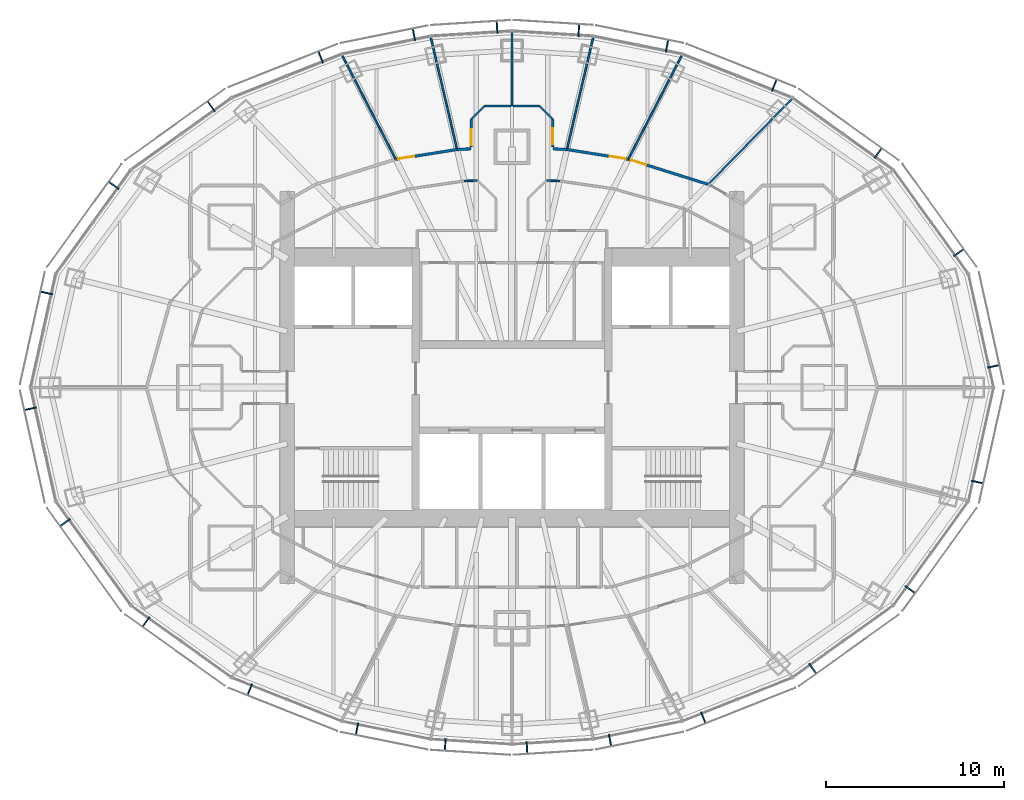
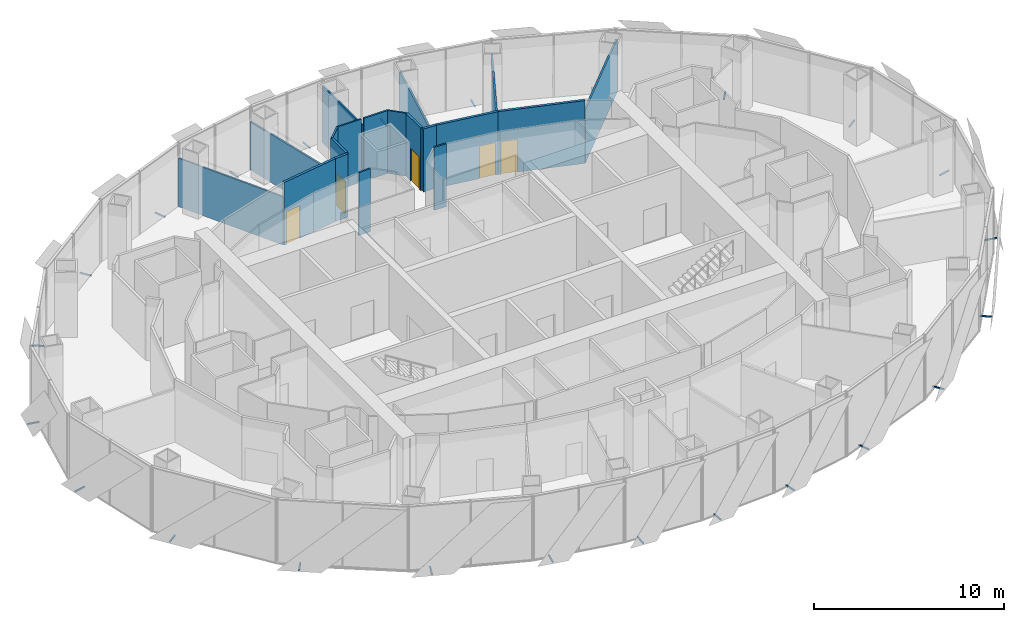
# One storey, part 15 of 18: 24 discrete accessories, 19 walls, 5 doors, 5 openings.
"""IFC4 building model written with IfcOpenShell, lengths in metres."""

from ifc_helpers import new_model, si_unit, direction, frame, frame_2d, origin, origin_2d, place, context, subcontext, project, spatial, rectangle, extrude, material, layer, layer_set, type_object, element, fill, save


model = new_model("IFC4")

# Units and contexts
model_context = context("Model", 3, precision=1e-05, world=origin(), true_north=direction((0.0, 1.0)))
body_context = subcontext(model_context, "Body", "Model", "MODEL_VIEW")
ifc_project = project(units=[si_unit("LENGTHUNIT", "METRE"), si_unit("AREAUNIT", "SQUARE_METRE"), si_unit("VOLUMEUNIT", "CUBIC_METRE"), si_unit("PLANEANGLEUNIT", "RADIAN"), si_unit("MASSUNIT", "GRAM", prefix="KILO")], contexts=[model_context])

# Site, building, storey
site_placement = place(None, origin())
site = spatial("IfcSite", under=ifc_project, at=site_placement, CompositionType="ELEMENT")
building_placement = place(site_placement, origin())
building = spatial("IfcBuilding", under=site, at=building_placement, Name="Lantaw Convention Tower", CompositionType="ELEMENT")
storey_placement = place(building_placement, frame((0.0, 0.0, 241.0)))
storey = spatial("IfcBuildingStorey", under=building, at=storey_placement, Name="L56", CompositionType="ELEMENT", Elevation=241.0)

# Wall, opening, door
ifc_material_1 = material(Name="Gypsum board on steel studs, fire rated", Category="steel")
ifc_layer_1 = layer(ifc_material_1, 0.14990234375)
ifc_layer_set_1 = layer_set([ifc_layer_1], Name="Corridor wall 150 EI 60")
wall_type_1 = type_object("IfcWallType", Name="Corridor wall 150 EI 60", PredefinedType="PARTITIONING", material=ifc_layer_set_1)
wall_1_placement = place(storey_placement, frame((11.000732421875, 11.3916015625, 0.0), z_axis=(0.0, 0.0, 1.0), x_axis=(-0.954031103669, 0.299707612903, 0.0)))
wall_1 = element("IfcWall", 1, at=wall_1_placement, inside=storey, type_object=wall_type_1, Name="Corridor wall 150", PredefinedType="PARTITIONING", context=body_context, shape_type="SweptSolid", body=[
    extrude(rectangle(XDim=4.6953125, YDim=0.14990234375, at=frame_2d((2.34765625, 0.0))), origin(), (0.0, 0.0, 1.0), 4.050048828125),
])
opening_1_placement = place(wall_1_placement, frame((3.645263671875, 0.0, 0.0)))
opening_1 = element("IfcOpeningElement", 2, at=opening_1_placement, cuts=wall_1, Name="Opening L56.30", PredefinedType="OPENING", context=body_context, shape_type="SweptSolid", body=[
    extrude(rectangle(XDim=0.89990234375, YDim=2.10009765625, at=frame_2d((0.449951171875, 1.050048828125))), frame((0.0, 0.0849609375, 0.0), z_axis=(0.0, -1.0, 0.0), x_axis=(1.0, 0.0, 0.0)), (0.0, 0.0, 1.0), 0.169921875),
])
ifc_material_2 = material(Name="Steel, fire rated", Category="steel")
door_type = type_object("IfcDoorType", Name="Office door 900 FD30", OperationType="SINGLE_SWING_LEFT", PredefinedType="DOOR", material=ifc_material_2)
door_1_placement = place(opening_1_placement, origin())
door_1 = element("IfcDoor", 3, at=door_1_placement, inside=storey, type_object=door_type, Name="Private office door", OperationType="SINGLE_SWING_LEFT", OverallHeight=2.10009765625, OverallWidth=0.89990234375, PredefinedType="DOOR", context=body_context, shape_type="SweptSolid", body=[
    extrude(rectangle(XDim=0.89990234375, YDim=2.10009765625, at=frame_2d((0.449951171875, 1.050048828125))), frame((0.0, 0.02490234375, 0.0), z_axis=(0.0, -1.0, 0.0), x_axis=(1.0, 0.0, 0.0)), (0.0, 0.0, 1.0), 0.050048828125),
])
fill(opening_1, door_1)

wall_2_placement = place(storey_placement, frame((6.521240234375, 12.798828125, 0.0), z_axis=(0.0, 0.0, 1.0), x_axis=(-0.987554093087, 0.157279729233, 0.0)))
wall_2 = element("IfcWall", 4, at=wall_2_placement, inside=storey, type_object=wall_type_1, Name="Corridor wall 150", PredefinedType="PARTITIONING", context=body_context, shape_type="SweptSolid", body=[
    extrude(rectangle(XDim=3.4833984375, YDim=0.14990234375, at=frame_2d((1.74169921875, 0.0))), origin(), (0.0, 0.0, 1.0), 4.050048828125),
])
opening_2_placement = place(wall_2_placement, frame((0.14990234375, 0.0, 0.0)))
opening_2 = element("IfcOpeningElement", 5, at=opening_2_placement, cuts=wall_2, Name="Opening L56.31", PredefinedType="OPENING", context=body_context, shape_type="SweptSolid", body=[
    extrude(rectangle(XDim=0.89990234375, YDim=2.10009765625, at=frame_2d((0.449951171875, 1.050048828125))), frame((0.0, 0.0849609375, 0.0), z_axis=(0.0, -1.0, 0.0), x_axis=(1.0, 0.0, 0.0)), (0.0, 0.0, 1.0), 0.169921875),
])
door_2_placement = place(opening_2_placement, origin())
door_2 = element("IfcDoor", 6, at=door_2_placement, inside=storey, type_object=door_type, Name="Private office door", OperationType="SINGLE_SWING_LEFT", OverallHeight=2.10009765625, OverallWidth=0.89990234375, PredefinedType="DOOR", context=body_context, shape_type="SweptSolid", body=[
    extrude(rectangle(XDim=0.89990234375, YDim=2.10009765625, at=frame_2d((0.449951171875, 1.050048828125))), frame((0.0, 0.02490234375, 0.0), z_axis=(0.0, -1.0, 0.0), x_axis=(1.0, 0.0, 0.0)), (0.0, 0.0, 1.0), 0.050048828125),
])
fill(opening_2, door_2)

wall_3_placement = place(storey_placement, frame((-3.081298828125, 13.3466796875, 0.0), z_axis=(0.0, 0.0, 1.0), x_axis=(-0.987554093087, -0.157279729233, 0.0)))
wall_3 = element("IfcWall", 7, at=wall_3_placement, inside=storey, type_object=wall_type_1, Name="Corridor wall 150", PredefinedType="PARTITIONING", context=body_context, shape_type="SweptSolid", body=[
    extrude(rectangle(XDim=3.4833984375, YDim=0.14990234375, at=frame_2d((1.74169921875, 0.0))), origin(), (0.0, 0.0, 1.0), 4.050048828125),
])
opening_3_placement = place(wall_3_placement, frame((2.433349609375, 0.0, 0.0)))
opening_3 = element("IfcOpeningElement", 8, at=opening_3_placement, cuts=wall_3, Name="Opening L56.34", PredefinedType="OPENING", context=body_context, shape_type="SweptSolid", body=[
    extrude(rectangle(XDim=0.89990234375, YDim=2.10009765625, at=frame_2d((0.449951171875, 1.050048828125))), frame((0.0, 0.0849609375, 0.0), z_axis=(0.0, -1.0, 0.0), x_axis=(1.0, 0.0, 0.0)), (0.0, 0.0, 1.0), 0.169921875),
])
door_3_placement = place(opening_3_placement, origin())
door_3 = element("IfcDoor", 9, at=door_3_placement, inside=storey, type_object=door_type, Name="Private office door", OperationType="SINGLE_SWING_LEFT", OverallHeight=2.10009765625, OverallWidth=0.89990234375, PredefinedType="DOOR", context=body_context, shape_type="SweptSolid", body=[
    extrude(rectangle(XDim=0.89990234375, YDim=2.10009765625, at=frame_2d((0.449951171875, 1.050048828125))), frame((0.0, 0.02490234375, 0.0), z_axis=(0.0, -1.0, 0.0), x_axis=(1.0, 0.0, 0.0)), (0.0, 0.0, 1.0), 0.050048828125),
])
fill(opening_3, door_3)

# Walls
for number, where, z_axis, x_axis, name in (
    (10, (3.081298828125, 13.3466796875, 0.0), (0.0, 0.0, 1.0), (-0.998768524691, 0.049612841959, 0.0), "Corridor wall 150"),
    (11, (-2.294921875, 13.3857421875, 0.0), (0.0, 0.0, 1.0), (-0.998768524691, -0.049612841959, 0.0), "Corridor wall 150"),
):
    element("IfcWall", number, at=place(storey_placement, frame(where, z_axis=z_axis, x_axis=x_axis)), inside=storey, type_object=wall_type_1, Name=name, PredefinedType="PARTITIONING", context=body_context, shape_type="SweptSolid", body=[
        extrude(rectangle(XDim=0.787353515625, YDim=0.14990234375, at=frame_2d((0.3935546875, 0.0))), origin(), (0.0, 0.0, 1.0), 4.050048828125),
    ])

# Wall, opening, door
wall_4_placement = place(storey_placement, frame((2.284912109375, 15.0322265625, 0.0), z_axis=(0.0, 0.0, 1.0), x_axis=(0.0, -1.0, 0.0)))
wall_4 = element("IfcWall", 12, at=wall_4_placement, inside=storey, type_object=wall_type_1, Name="Corridor wall 150", PredefinedType="PARTITIONING", context=body_context, shape_type="SweptSolid", body=[
    extrude(rectangle(XDim=1.544921875, YDim=0.14990234375, at=frame_2d((0.7724609375, 0.0))), origin(), (0.0, 0.0, 1.0), 4.050048828125),
])
opening_4_placement = place(wall_4_placement, frame((0.5, 0.0, 0.0)))
opening_4 = element("IfcOpeningElement", 13, at=opening_4_placement, cuts=wall_4, Name="Opening L56.32", PredefinedType="OPENING", context=body_context, shape_type="SweptSolid", body=[
    extrude(rectangle(XDim=0.89990234375, YDim=2.10009765625, at=frame_2d((0.449951171875, 1.050048828125))), frame((0.0, 0.0849609375, 0.0), z_axis=(0.0, -1.0, 0.0), x_axis=(1.0, 0.0, 0.0)), (0.0, 0.0, 1.0), 0.169921875),
])
door_4_placement = place(opening_4_placement, origin())
door_4 = element("IfcDoor", 14, at=door_4_placement, inside=storey, type_object=door_type, Name="Private office door", OperationType="SINGLE_SWING_LEFT", OverallHeight=2.10009765625, OverallWidth=0.89990234375, PredefinedType="DOOR", context=body_context, shape_type="SweptSolid", body=[
    extrude(rectangle(XDim=0.89990234375, YDim=2.10009765625, at=frame_2d((0.449951171875, 1.050048828125))), frame((0.0, 0.02490234375, 0.0), z_axis=(0.0, -1.0, 0.0), x_axis=(1.0, 0.0, 0.0)), (0.0, 0.0, 1.0), 0.050048828125),
])
fill(opening_4, door_4)

wall_5_placement = place(storey_placement, frame((-2.284912109375, 13.4873046875, 0.0), z_axis=(0.0, 0.0, 1.0), x_axis=(0.0, 1.0, 0.0)))
wall_5 = element("IfcWall", 15, at=wall_5_placement, inside=storey, type_object=wall_type_1, Name="Corridor wall 150", PredefinedType="PARTITIONING", context=body_context, shape_type="SweptSolid", body=[
    extrude(rectangle(XDim=1.544921875, YDim=0.14990234375, at=frame_2d((0.7724609375, 0.0))), origin(), (0.0, 0.0, 1.0), 4.050048828125),
])
opening_5_placement = place(wall_5_placement, frame((0.10009765625, 0.0, 0.0)))
opening_5 = element("IfcOpeningElement", 16, at=opening_5_placement, cuts=wall_5, Name="Opening L56.33", PredefinedType="OPENING", context=body_context, shape_type="SweptSolid", body=[
    extrude(rectangle(XDim=0.89990234375, YDim=2.10009765625, at=frame_2d((0.449951171875, 1.050048828125))), frame((0.0, 0.0849609375, 0.0), z_axis=(0.0, -1.0, 0.0), x_axis=(1.0, 0.0, 0.0)), (0.0, 0.0, 1.0), 0.169921875),
])
door_5_placement = place(opening_5_placement, origin())
door_5 = element("IfcDoor", 17, at=door_5_placement, inside=storey, type_object=door_type, Name="Private office door", OperationType="SINGLE_SWING_LEFT", OverallHeight=2.10009765625, OverallWidth=0.89990234375, PredefinedType="DOOR", context=body_context, shape_type="SweptSolid", body=[
    extrude(rectangle(XDim=0.89990234375, YDim=2.10009765625, at=frame_2d((0.449951171875, 1.050048828125))), frame((0.0, 0.02490234375, 0.0), z_axis=(0.0, -1.0, 0.0), x_axis=(1.0, 0.0, 0.0)), (0.0, 0.0, 1.0), 0.050048828125),
])
fill(opening_5, door_5)

# Walls
ifc_material_3 = material(Name="Gypsum board on steel studs, acoustic", Category="steel")
ifc_layer_2 = layer(ifc_material_3, 0.10009765625)
ifc_layer_set_2 = layer_set([ifc_layer_2], Name="Office partition 100")
wall_type_2 = type_object("IfcWallType", Name="Office partition 100", PredefinedType="PARTITIONING", material=ifc_layer_set_2)
wall_6_placement = place(storey_placement, frame((15.70947265625, 16.19873046875, 0.0), z_axis=(0.0, 0.0, 1.0), x_axis=(-0.699758297028, -0.71437967898, 0.0)))
element("IfcWall", 18, at=wall_6_placement, inside=storey, type_object=wall_type_2, Name="Office partition 100", PredefinedType="PARTITIONING", context=body_context, shape_type="SweptSolid", body=[
    extrude(rectangle(XDim=6.72900390625, YDim=0.10009765625, at=frame_2d((3.364501953125, 0.0))), origin(), (0.0, 0.0, 1.0), 3.409912109375),
])
wall_7_placement = place(storey_placement, frame((9.53955078125, 18.650390625, 0.0), z_axis=(0.0, 0.0, 1.0), x_axis=(-0.458420942987, -0.888735190611, 0.0)))
element("IfcWall", 19, at=wall_7_placement, inside=storey, type_object=wall_type_2, Name="Office partition 100", PredefinedType="PARTITIONING", context=body_context, shape_type="SweptSolid", body=[
    extrude(rectangle(XDim=6.584228515625, YDim=0.10009765625, at=frame_2d((3.2919921875, 0.0))), origin(), (0.0, 0.0, 1.0), 3.107666015625),
])
for number, where, z_axis, x_axis, name in (
    (20, (4.5556640625, 19.65673828125, 0.0), (0.0, 0.0, 1.0), (-0.227524978141, -0.973772244584, 0.0), "Office partition 100"),
    (21, (-4.5556640625, 19.65673828125, 0.0), (0.0, 0.0, 1.0), (0.227524978141, -0.973772244584, 0.0), "Office partition 100"),
):
    element("IfcWall", number, at=place(storey_placement, frame(where, z_axis=z_axis, x_axis=x_axis)), inside=storey, type_object=wall_type_2, Name=name, PredefinedType="PARTITIONING", context=body_context, shape_type="SweptSolid", body=[
        extrude(rectangle(XDim=6.47998046875, YDim=0.10009765625, at=frame_2d((3.239990234375, 0.0))), origin(), (0.0, 0.0, 1.0), 3.107666015625),
    ])
wall_8_placement = place(storey_placement, frame((-9.53955078125, 18.650390625, 0.0), z_axis=(0.0, 0.0, 1.0), x_axis=(0.458420942987, -0.888735190611, 0.0)))
element("IfcWall", 22, at=wall_8_placement, inside=storey, type_object=wall_type_2, Name="Office partition 100", PredefinedType="PARTITIONING", context=body_context, shape_type="SweptSolid", body=[
    extrude(rectangle(XDim=6.584228515625, YDim=0.10009765625, at=frame_2d((3.2919921875, 0.0))), origin(), (0.0, 0.0, 1.0), 3.107666015625),
])
wall_9_placement = place(storey_placement, frame((0.0, 19.94482421875, 0.0), z_axis=(0.0, 0.0, 1.0), x_axis=(0.0, -1.0, 0.0)))
element("IfcWall", 23, at=wall_9_placement, inside=storey, type_object=wall_type_2, Name="Office partition 100", PredefinedType="PARTITIONING", context=body_context, shape_type="SweptSolid", body=[
    extrude(rectangle(XDim=4.14990234375, YDim=0.10009765625, at=frame_2d((2.074951171875, 0.0))), origin(), (0.0, 0.0, 1.0), 3.646240234375),
])
for number, where, z_axis, x_axis, name in (
    (24, (1.944091796875, 11.612548828125, 0.0), (0.0, 0.0, 1.0), (0.99899525873, -0.04481599085, 0.0), "Office partition 100"),
    (25, (-2.67333984375, 11.579833984375, 0.0), (0.0, 0.0, 1.0), (0.99899525873, 0.04481599085, 0.0), "Office partition 100"),
):
    element("IfcWall", number, at=place(storey_placement, frame(where, z_axis=z_axis, x_axis=x_axis)), inside=storey, type_object=wall_type_2, Name=name, PredefinedType="PARTITIONING", context=body_context, shape_type="SweptSolid", body=[
        extrude(rectangle(XDim=0.72998046875, YDim=0.10009765625, at=frame_2d((0.364990234375, 0.0))), origin(), (0.0, 0.0, 1.0), 4.050048828125),
    ])
wall_10_placement = place(storey_placement, frame((0.078125, 15.784912109375, 0.0), z_axis=(0.0, 0.0, 1.0), x_axis=(1.0, 0.0, 0.0)))
element("IfcWall", 26, at=wall_10_placement, inside=storey, type_object=wall_type_2, Name="Office partition 100", PredefinedType="PARTITIONING", context=body_context, shape_type="SweptSolid", body=[
    extrude(rectangle(XDim=1.4541015625, YDim=0.10009765625, at=frame_2d((0.72705078125, 0.0))), origin(), (0.0, 0.0, 1.0), 4.050048828125),
])
for number, where, z_axis, x_axis, name in (
    (27, (1.5322265625, 15.784912109375, 0.0), (0.0, 0.0, 1.0), (0.707106781187, -0.707106781187, 0.0), "Office partition 100"),
    (28, (-2.284912109375, 15.0322265625, 0.0), (0.0, 0.0, 1.0), (0.707106781187, 0.707106781187, 0.0), "Office partition 100"),
):
    element("IfcWall", number, at=place(storey_placement, frame(where, z_axis=z_axis, x_axis=x_axis)), inside=storey, type_object=wall_type_2, Name=name, PredefinedType="PARTITIONING", context=body_context, shape_type="SweptSolid", body=[
        extrude(rectangle(XDim=1.064453125, YDim=0.10009765625, at=frame_2d((0.5322265625, 0.0))), origin(), (0.0, 0.0, 1.0), 4.050048828125),
    ])
wall_11_placement = place(storey_placement, frame((-1.5322265625, 15.784912109375, 0.0), z_axis=(0.0, 0.0, 1.0), x_axis=(1.0, 0.0, 0.0)))
element("IfcWall", 29, at=wall_11_placement, inside=storey, type_object=wall_type_2, Name="Office partition 100", PredefinedType="PARTITIONING", context=body_context, shape_type="SweptSolid", body=[
    extrude(rectangle(XDim=1.4541015625, YDim=0.10009765625, at=frame_2d((0.72705078125, 0.0))), origin(), (0.0, 0.0, 1.0), 4.050048828125),
])

# Discrete accessories
for number, where, z_axis, x_axis, name in (
    (30, (27.002197265625, 1.189453125, -0.114990234375), (0.0, 0.0, 1.0), (-0.215891333626, 0.976417396437, 0.0), "Screen bracket"),
    (31, (25.05419921875, 7.564453125, -0.114990234375), (0.0, 0.0, 1.0), (-0.585157643865, 0.810919559405, 0.0), "Screen bracket"),
    (32, (20.524169921875, 13.14453125, -0.114990234375), (0.0, 0.0, 1.0), (-0.813672540482, 0.581323487281, 0.0), "Screen bracket"),
    (33, (14.707763671875, 16.94140625, -0.114990234375), (0.0, 0.0, 1.0), (-0.929761533743, 0.368162315252, 0.0), "Screen bracket"),
    (34, (8.68896484375, 19.145751953125, -0.114990234375), (0.0, 0.0, 1.0), (-0.980366679695, 0.197183095987, 0.0), "Screen bracket"),
    (35, (3.743896484375, 20.024169921875, -0.114990234375), (0.0, 0.0, 1.0), (-0.998028774865, 0.062757983884, 0.0), "Screen bracket"),
    (36, (-0.83984375, 20.206787109375, -0.114990234375), (0.0, 0.0, 1.0), (-0.998028774865, -0.062757983884, 0.0), "Screen bracket"),
    (37, (-5.49853515625, 19.78759765625, -0.114990234375), (0.0, 0.0, 1.0), (-0.980366679695, -0.197183095987, 0.0), "Screen bracket"),
    (38, (-10.7255859375, 18.518310546875, -0.114990234375), (0.0, 0.0, 1.0), (-0.929761533743, -0.368162315252, 0.0), "Screen bracket"),
    (39, (-16.863525390625, 15.759765625, -0.114990234375), (0.0, 0.0, 1.0), (-0.813672540482, -0.581323487281, 0.0), "Screen bracket"),
    (40, (-22.333251953125, 11.3349609375, -0.114990234375), (0.0, 0.0, 1.0), (-0.585157643865, -0.810919559405, 0.0), "Screen bracket"),
    (41, (-26.0927734375, 5.302490234375, -0.114990234375), (0.0, 0.0, 1.0), (-0.215891333626, -0.976417396437, 0.0), "Screen bracket"),
    (42, (-27.002197265625, -1.189453125, -0.114990234375), (0.0, 0.0, 1.0), (0.215891333626, -0.976417396437, 0.0), "Screen bracket"),
    (43, (-25.05419921875, -7.564453125, -0.114990234375), (0.0, 0.0, 1.0), (0.585157643865, -0.810919559405, 0.0), "Screen bracket"),
    (44, (-20.524169921875, -13.14453125, -0.114990234375), (0.0, 0.0, 1.0), (0.813672540482, -0.581323487281, 0.0), "Screen bracket"),
    (45, (-14.707763671875, -16.94140625, -0.114990234375), (0.0, 0.0, 1.0), (0.929761533743, -0.368162315252, 0.0), "Screen bracket"),
    (46, (-8.68896484375, -19.145751953125, -0.114990234375), (0.0, 0.0, 1.0), (0.980366679695, -0.197183095987, 0.0), "Screen bracket"),
    (47, (-3.743896484375, -20.024169921875, -0.114990234375), (0.0, 0.0, 1.0), (0.998028774865, -0.062757983884, 0.0), "Screen bracket"),
    (48, (0.83984375, -20.206787109375, -0.114990234375), (0.0, 0.0, 1.0), (0.998028774865, 0.062757983884, 0.0), "Screen bracket"),
    (49, (5.49853515625, -19.78759765625, -0.114990234375), (0.0, 0.0, 1.0), (0.980366679695, 0.197183095987, 0.0), "Screen bracket"),
    (50, (10.7255859375, -18.518310546875, -0.114990234375), (0.0, 0.0, 1.0), (0.929761533743, 0.368162315252, 0.0), "Screen bracket"),
    (51, (16.863525390625, -15.759765625, -0.114990234375), (0.0, 0.0, 1.0), (0.813672540482, 0.581323487281, 0.0), "Screen bracket"),
    (52, (22.333251953125, -11.3349609375, -0.114990234375), (0.0, 0.0, 1.0), (0.585157643865, 0.810919559405, 0.0), "Screen bracket"),
    (53, (26.0927734375, -5.302490234375, -0.114990234375), (0.0, 0.0, 1.0), (0.215891333626, 0.976417396437, 0.0), "Screen bracket"),
):
    element("IfcDiscreteAccessory", number, at=place(storey_placement, frame(where, z_axis=z_axis, x_axis=x_axis)), inside=storey, Name=name, PredefinedType="BRACKET", context=body_context, shape_type="SweptSolid", body=[
        extrude(rectangle(XDim=0.080078125, YDim=0.68798828125, at=origin_2d()), origin(), (0.0, 0.0, 1.0), 0.080078125),
    ])

save(model, "model.ifc")
